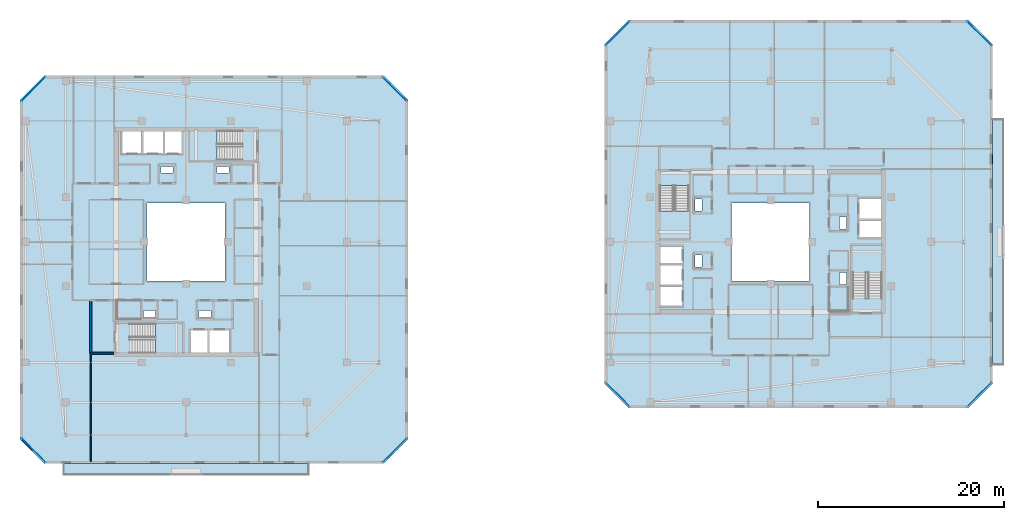
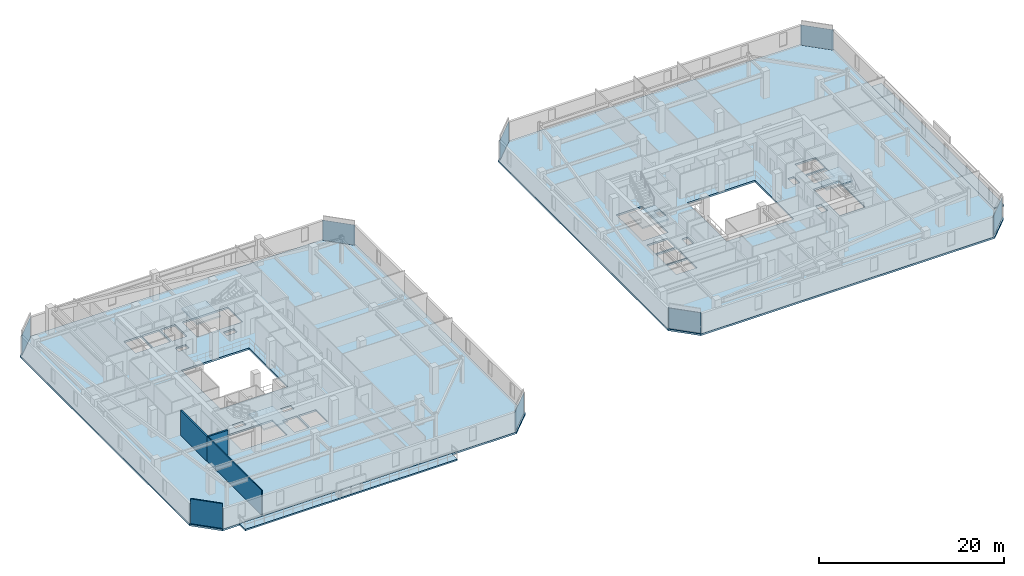
# One storey, part 20 of 35: 8 plates, 8 slabs, 4 walls, 12 elements without a shape of their own.
"""IFC4 building model written with IfcOpenShell, lengths in metres."""

from ifc_helpers import new_model, si_unit, direction, frame, frame_2d, origin, origin_2d, place, context, subcontext, project, spatial, polyline, rectangle, outline, extrude, material, layer, layer_set, type_object, element, aggregate, save


model = new_model("IFC4")

# Units and contexts
model_context = context("Model", 3, precision=1e-05, world=origin(), true_north=direction((0.0, 1.0)))
body_context = subcontext(model_context, "Body", "Model", "MODEL_VIEW")
ifc_project = project(units=[si_unit("LENGTHUNIT", "METRE"), si_unit("AREAUNIT", "SQUARE_METRE"), si_unit("VOLUMEUNIT", "CUBIC_METRE"), si_unit("PLANEANGLEUNIT", "RADIAN"), si_unit("MASSUNIT", "GRAM", prefix="KILO")], contexts=[model_context])

# Site, building, storey
site_placement = place(None, origin())
site = spatial("IfcSite", under=ifc_project, at=site_placement, CompositionType="ELEMENT")
building_placement = place(site_placement, origin())
building = spatial("IfcBuilding", under=site, at=building_placement, Name="Thornwick Lancets Civic Towers", CompositionType="ELEMENT")
storey_placement = place(building_placement, frame((0.0, 0.0, 276.300048828125)))
storey = spatial("IfcBuildingStorey", under=building, at=storey_placement, Name="L74", CompositionType="ELEMENT", Elevation=276.300048828125)

# Curtain wall, plate
ifc_material_1 = material(Name="High-zone chamfered-corner unitised glass curtain wall", Category="glass")
curtain_wall_type = type_object("IfcCurtainWallType", Name="CW_SYS_05", PredefinedType="NOTDEFINED", material=ifc_material_1)
curtain_wall_1_placement = place(storey_placement, origin())
curtain_wall_1 = element("IfcCurtainWall", 1, at=curtain_wall_1_placement, inside=storey, type_object=curtain_wall_type, Name="L74 Curtain Wall CW-L74-A-E1", PredefinedType="NOTDEFINED")
ifc_material_2 = material(Name="Low-e double glazing clear glass", Category="glass")
ifc_layer_1 = layer(ifc_material_2, 0.035888671875, Name="Low-e double glazing clear glass")
ifc_layer_set_1 = layer_set([ifc_layer_1], Name="Low-e double glazing clear glass")
plate_type = type_object("IfcPlateType", Name="CW_PNL_GLASS", PredefinedType="CURTAIN_PANEL", material=ifc_layer_set_1)
plate_1_placement = place(storey_placement, frame((47.972900390625, 4.527099609375, 0.0), z_axis=(0.0, 0.0, 1.0), x_axis=(0.707106781187, 0.707106781187, 0.0)))
plate_1 = element("IfcPlate", 2, at=plate_1_placement, type_object=plate_type, Name="CW-L74-A-E1 Panel 0", PredefinedType="CURTAIN_PANEL", context=body_context, shape_type="SweptSolid", body=[
    extrude(rectangle(XDim=3.649169921875, YDim=0.035888671875, at=origin_2d()), origin(), (0.0, 0.0, 1.0), 2.659912109375),
])
aggregate(curtain_wall_1, [plate_1])

curtain_wall_2_placement = place(storey_placement, origin())
curtain_wall_2 = element("IfcCurtainWall", 3, at=curtain_wall_2_placement, inside=storey, type_object=curtain_wall_type, Name="L74 Curtain Wall CW-L74-A-E3", PredefinedType="NOTDEFINED")
plate_2_placement = place(storey_placement, frame((47.972900390625, 43.472900390625, 0.0), z_axis=(0.0, 0.0, 1.0), x_axis=(-0.707106781187, 0.707106781187, 0.0)))
plate_2 = element("IfcPlate", 4, at=plate_2_placement, type_object=plate_type, Name="CW-L74-A-E3 Panel 0", PredefinedType="CURTAIN_PANEL", context=body_context, shape_type="SweptSolid", body=[
    extrude(rectangle(XDim=3.649169921875, YDim=0.035888671875, at=origin_2d()), origin(), (0.0, 0.0, 1.0), 2.659912109375),
])
aggregate(curtain_wall_2, [plate_2])

curtain_wall_3_placement = place(storey_placement, origin())
curtain_wall_3 = element("IfcCurtainWall", 5, at=curtain_wall_3_placement, inside=storey, type_object=curtain_wall_type, Name="L74 Curtain Wall CW-L74-A-E5", PredefinedType="NOTDEFINED")
plate_3_placement = place(storey_placement, frame((9.027099609375, 43.472900390625, 0.0), z_axis=(0.0, 0.0, 1.0), x_axis=(-0.707106781187, -0.707106781187, 0.0)))
plate_3 = element("IfcPlate", 6, at=plate_3_placement, type_object=plate_type, Name="CW-L74-A-E5 Panel 0", PredefinedType="CURTAIN_PANEL", context=body_context, shape_type="SweptSolid", body=[
    extrude(rectangle(XDim=3.649169921875, YDim=0.035888671875, at=origin_2d()), origin(), (0.0, 0.0, 1.0), 2.659912109375),
])
aggregate(curtain_wall_3, [plate_3])

curtain_wall_4_placement = place(storey_placement, origin())
curtain_wall_4 = element("IfcCurtainWall", 7, at=curtain_wall_4_placement, inside=storey, type_object=curtain_wall_type, Name="L74 Curtain Wall CW-L74-A-E7", PredefinedType="NOTDEFINED")
plate_4_placement = place(storey_placement, frame((9.027099609375, 4.527099609375, 0.0), z_axis=(0.0, 0.0, 1.0), x_axis=(0.707106781187, -0.707106781187, 0.0)))
plate_4 = element("IfcPlate", 8, at=plate_4_placement, type_object=plate_type, Name="CW-L74-A-E7 Panel 0", PredefinedType="CURTAIN_PANEL", context=body_context, shape_type="SweptSolid", body=[
    extrude(rectangle(XDim=3.649169921875, YDim=0.035888671875, at=origin_2d()), origin(), (0.0, 0.0, 1.0), 2.659912109375),
])
aggregate(curtain_wall_4, [plate_4])

curtain_wall_5_placement = place(storey_placement, origin())
curtain_wall_5 = element("IfcCurtainWall", 9, at=curtain_wall_5_placement, inside=storey, type_object=curtain_wall_type, Name="L74 Curtain Wall CW-L74-B-E1", PredefinedType="NOTDEFINED")
plate_5_placement = place(storey_placement, frame((110.972900390625, 10.527099609375, 0.0), z_axis=(0.0, 0.0, 1.0), x_axis=(0.707106781187, 0.707106781187, 0.0)))
plate_5 = element("IfcPlate", 10, at=plate_5_placement, type_object=plate_type, Name="CW-L74-B-E1 Panel 0", PredefinedType="CURTAIN_PANEL", context=body_context, shape_type="SweptSolid", body=[
    extrude(rectangle(XDim=3.649169921875, YDim=0.035888671875, at=origin_2d()), origin(), (0.0, 0.0, 1.0), 2.659912109375),
])
aggregate(curtain_wall_5, [plate_5])

curtain_wall_6_placement = place(storey_placement, origin())
curtain_wall_6 = element("IfcCurtainWall", 11, at=curtain_wall_6_placement, inside=storey, type_object=curtain_wall_type, Name="L74 Curtain Wall CW-L74-B-E3", PredefinedType="NOTDEFINED")
plate_6_placement = place(storey_placement, frame((110.972900390625, 49.472900390625, 0.0), z_axis=(0.0, 0.0, 1.0), x_axis=(-0.707106781187, 0.707106781187, 0.0)))
plate_6 = element("IfcPlate", 12, at=plate_6_placement, type_object=plate_type, Name="CW-L74-B-E3 Panel 0", PredefinedType="CURTAIN_PANEL", context=body_context, shape_type="SweptSolid", body=[
    extrude(rectangle(XDim=3.649169921875, YDim=0.035888671875, at=origin_2d()), origin(), (0.0, 0.0, 1.0), 2.659912109375),
])
aggregate(curtain_wall_6, [plate_6])

curtain_wall_7_placement = place(storey_placement, origin())
curtain_wall_7 = element("IfcCurtainWall", 13, at=curtain_wall_7_placement, inside=storey, type_object=curtain_wall_type, Name="L74 Curtain Wall CW-L74-B-E5", PredefinedType="NOTDEFINED")
plate_7_placement = place(storey_placement, frame((72.027099609375, 49.472900390625, 0.0), z_axis=(0.0, 0.0, 1.0), x_axis=(-0.707106781187, -0.707106781187, 0.0)))
plate_7 = element("IfcPlate", 14, at=plate_7_placement, type_object=plate_type, Name="CW-L74-B-E5 Panel 0", PredefinedType="CURTAIN_PANEL", context=body_context, shape_type="SweptSolid", body=[
    extrude(rectangle(XDim=3.649169921875, YDim=0.035888671875, at=origin_2d()), origin(), (0.0, 0.0, 1.0), 2.659912109375),
])
aggregate(curtain_wall_7, [plate_7])

curtain_wall_8_placement = place(storey_placement, origin())
curtain_wall_8 = element("IfcCurtainWall", 15, at=curtain_wall_8_placement, inside=storey, type_object=curtain_wall_type, Name="L74 Curtain Wall CW-L74-B-E7", PredefinedType="NOTDEFINED")
plate_8_placement = place(storey_placement, frame((72.027099609375, 10.527099609375, 0.0), z_axis=(0.0, 0.0, 1.0), x_axis=(0.707106781187, -0.707106781187, 0.0)))
plate_8 = element("IfcPlate", 16, at=plate_8_placement, type_object=plate_type, Name="CW-L74-B-E7 Panel 0", PredefinedType="CURTAIN_PANEL", context=body_context, shape_type="SweptSolid", body=[
    extrude(rectangle(XDim=3.649169921875, YDim=0.035888671875, at=origin_2d()), origin(), (0.0, 0.0, 1.0), 2.659912109375),
])
aggregate(curtain_wall_8, [plate_8])

# Slabs
ifc_material_3 = material(Name="Post-tensioned concrete C40/50", Category="concrete")
ifc_layer_2 = layer(ifc_material_3, 0.199951171875, Name="Post-tensioned concrete C40/50")
ifc_layer_set_2 = layer_set([ifc_layer_2], Name="Post-tensioned concrete C40/50")
slab_type_1 = type_object("IfcSlabType", Name="SLAB_BALCONY_200", PredefinedType="FLOOR", material=ifc_layer_set_2)
slab_1_placement = place(storey_placement, frame((0.0, 0.0, -0.199951171875)))
element("IfcSlab", 17, at=slab_1_placement, inside=storey, type_object=slab_type_1, Name="L74 Tower A Planted Balcony Slab S", PredefinedType="FLOOR", context=body_context, shape_type="SweptSolid", body=[
    extrude(outline(polyline([(12.300048828125, 1.85009765625), (38.699951171875, 1.85009765625), (38.699951171875, 3.10009765625), (12.300048828125, 3.10009765625), (12.300048828125, 1.85009765625)])), origin(), (0.0, 0.0, 1.0), 0.199951171875),
])
slab_2_placement = place(storey_placement, frame((0.0, 0.0, -0.199951171875)))
element("IfcSlab", 18, at=slab_2_placement, inside=storey, type_object=slab_type_1, Name="L74 Tower B Planted Balcony Slab E", PredefinedType="FLOOR", context=body_context, shape_type="SweptSolid", body=[
    extrude(outline(polyline([(112.39990234375, 13.800048828125), (113.64990234375, 13.800048828125), (113.64990234375, 40.199951171875), (112.39990234375, 40.199951171875), (112.39990234375, 13.800048828125)])), origin(), (0.0, 0.0, 1.0), 0.199951171875),
])

# Stair, slab
ifc_material_4 = material(Name="Concrete C40/50", Category="concrete")
stair_type = type_object("IfcStairType", Name="STAIR_DL_3600", PredefinedType="HALF_TURN_STAIR", material=ifc_material_4)
stair_1_placement = place(storey_placement, origin())
stair_1 = element("IfcStair", 19, at=stair_1_placement, inside=storey, type_object=stair_type, Name="L74 Tower A South Exit Stair ST-A1", PredefinedType="HALF_TURN_STAIR")
ifc_layer_3 = layer(ifc_material_4, 0.25, Name="Concrete C40/50")
ifc_layer_set_3 = layer_set([ifc_layer_3], Name="Concrete C40/50")
slab_type_2 = type_object("IfcSlabType", Name="SLAB_LANDING_200", PredefinedType="LANDING", material=ifc_layer_set_3)
slab_3_placement = place(storey_placement, frame((0.0, 0.0, 1.60302734375)))
slab_3 = element("IfcSlab", 20, at=slab_3_placement, type_object=slab_type_2, Name="ST-A1 landing 1", PredefinedType="LANDING", context=body_context, shape_type="SweptSolid", body=[
    extrude(outline(polyline([(22.169921875, 14.93994140625), (25.14990234375, 14.93994140625), (25.14990234375, 18.260009765625), (22.169921875, 18.260009765625), (22.169921875, 14.93994140625)])), origin(), (0.0, 0.0, 1.0), 0.199951171875),
])
aggregate(stair_1, [slab_3])

stair_2_placement = place(storey_placement, origin())
stair_2 = element("IfcStair", 21, at=stair_2_placement, inside=storey, type_object=stair_type, Name="L74 Tower A North Exit Stair ST-A2", PredefinedType="HALF_TURN_STAIR")
slab_4_placement = place(storey_placement, frame((0.0, 0.0, 1.60302734375)))
slab_4 = element("IfcSlab", 22, at=slab_4_placement, type_object=slab_type_2, Name="ST-A2 landing 1", PredefinedType="LANDING", context=body_context, shape_type="SweptSolid", body=[
    extrude(outline(polyline([(28.830078125, 39.06005859375), (25.85009765625, 39.06005859375), (25.85009765625, 35.739990234375), (28.830078125, 35.739990234375), (28.830078125, 39.06005859375)])), origin(), (0.0, 0.0, 1.0), 0.199951171875),
])
aggregate(stair_2, [slab_4])

stair_3_placement = place(storey_placement, origin())
stair_3 = element("IfcStair", 23, at=stair_3_placement, inside=storey, type_object=stair_type, Name="L74 Tower B East Exit Stair ST-B1", PredefinedType="HALF_TURN_STAIR")
slab_5_placement = place(storey_placement, frame((0.0, 0.0, 1.60302734375)))
slab_5 = element("IfcSlab", 24, at=slab_5_placement, type_object=slab_type_2, Name="ST-B1 landing 1", PredefinedType="LANDING", context=body_context, shape_type="SweptSolid", body=[
    extrude(outline(polyline([(100.56005859375, 23.669921875), (100.56005859375, 26.64990234375), (97.239990234375, 26.64990234375), (97.239990234375, 23.669921875), (100.56005859375, 23.669921875)])), origin(), (0.0, 0.0, 1.0), 0.199951171875),
])
aggregate(stair_3, [slab_5])

stair_4_placement = place(storey_placement, origin())
stair_4 = element("IfcStair", 25, at=stair_4_placement, inside=storey, type_object=stair_type, Name="L74 Tower B West Exit Stair ST-B2", PredefinedType="HALF_TURN_STAIR")
slab_6_placement = place(storey_placement, frame((0.0, 0.0, 1.60302734375)))
slab_6 = element("IfcSlab", 26, at=slab_6_placement, type_object=slab_type_2, Name="ST-B2 landing 1", PredefinedType="LANDING", context=body_context, shape_type="SweptSolid", body=[
    extrude(outline(polyline([(76.43994140625, 30.330078125), (76.43994140625, 27.35009765625), (79.760009765625, 27.35009765625), (79.760009765625, 30.330078125), (76.43994140625, 30.330078125)])), origin(), (0.0, 0.0, 1.0), 0.199951171875),
])
aggregate(stair_4, [slab_6])

# Slabs
ifc_layer_4 = layer(ifc_material_3, 0.239990234375, Name="Post-tensioned concrete C40/50")
ifc_layer_set_4 = layer_set([ifc_layer_4], Name="Post-tensioned concrete C40/50")
slab_type_3 = type_object("IfcSlabType", Name="SLAB_PT_240", PredefinedType="FLOOR", material=ifc_layer_set_4)
slab_7_placement = place(storey_placement, frame((0.0, 0.0, -0.239990234375)))
element("IfcSlab", 27, at=slab_7_placement, inside=storey, type_object=slab_type_3, Name="L74 Tower A Floor Slab", PredefinedType="FLOOR", context=body_context, shape_type="SweptSolid", body=[
    extrude(outline(polyline([(10.199951171875, 3.10009765625), (46.800048828125, 3.10009765625), (49.39990234375, 5.699951171875), (49.39990234375, 42.300048828125), (46.800048828125, 44.89990234375), (10.199951171875, 44.89990234375), (7.60009765625, 42.300048828125), (7.60009765625, 5.699951171875), (10.199951171875, 3.10009765625)]), holes=[polyline([(21.300048828125, 22.800048828125), (29.699951171875, 22.800048828125), (29.699951171875, 31.199951171875), (21.300048828125, 31.199951171875), (21.300048828125, 22.800048828125)]), polyline([(19.429931640625, 15.0), (25.10009765625, 15.0), (25.10009765625, 18.199951171875), (19.429931640625, 18.199951171875), (19.429931640625, 15.0)]), polyline([(31.570068359375, 39.0), (25.89990234375, 39.0), (25.89990234375, 35.800048828125), (31.570068359375, 35.800048828125), (31.570068359375, 39.0)]), polyline([(26.0, 15.0), (27.800048828125, 15.0), (27.800048828125, 17.550048828125), (26.0, 17.550048828125), (26.0, 15.0)]), polyline([(28.0, 15.0), (30.14990234375, 15.0), (30.14990234375, 17.550048828125), (28.0, 17.550048828125), (28.0, 15.0)]), polyline([(23.199951171875, 36.449951171875), (25.0, 36.449951171875), (25.0, 39.0), (23.199951171875, 39.0), (23.199951171875, 36.449951171875)]), polyline([(20.85009765625, 36.449951171875), (23.0, 36.449951171875), (23.0, 39.0), (20.85009765625, 39.0), (20.85009765625, 36.449951171875)]), polyline([(18.60009765625, 36.449951171875), (20.699951171875, 36.449951171875), (20.699951171875, 39.0), (18.60009765625, 39.0), (18.60009765625, 36.449951171875)]), polyline([(26.89990234375, 18.85009765625), (28.199951171875, 18.85009765625), (28.199951171875, 19.580078125), (26.89990234375, 19.580078125), (26.89990234375, 18.85009765625)]), polyline([(20.89990234375, 18.85009765625), (22.199951171875, 18.85009765625), (22.199951171875, 19.580078125), (20.89990234375, 19.580078125), (20.89990234375, 18.85009765625)]), polyline([(22.800048828125, 34.419921875), (24.10009765625, 34.419921875), (24.10009765625, 35.14990234375), (22.800048828125, 35.14990234375), (22.800048828125, 34.419921875)]), polyline([(28.800048828125, 34.419921875), (30.10009765625, 34.419921875), (30.10009765625, 35.14990234375), (28.800048828125, 35.14990234375), (28.800048828125, 34.419921875)])]), origin(), (0.0, 0.0, 1.0), 0.239990234375),
])
slab_8_placement = place(storey_placement, frame((0.0, 0.0, -0.239990234375)))
element("IfcSlab", 28, at=slab_8_placement, inside=storey, type_object=slab_type_3, Name="L74 Tower B Floor Slab", PredefinedType="FLOOR", context=body_context, shape_type="SweptSolid", body=[
    extrude(outline(polyline([(73.199951171875, 9.10009765625), (109.800048828125, 9.10009765625), (112.39990234375, 11.699951171875), (112.39990234375, 48.300048828125), (109.800048828125, 50.89990234375), (73.199951171875, 50.89990234375), (70.60009765625, 48.300048828125), (70.60009765625, 11.699951171875), (73.199951171875, 9.10009765625)]), holes=[polyline([(84.300048828125, 22.800048828125), (92.699951171875, 22.800048828125), (92.699951171875, 31.199951171875), (84.300048828125, 31.199951171875), (84.300048828125, 22.800048828125)]), polyline([(100.5, 20.929931640625), (100.5, 26.60009765625), (97.300048828125, 26.60009765625), (97.300048828125, 20.929931640625), (100.5, 20.929931640625)]), polyline([(76.5, 33.070068359375), (76.5, 27.39990234375), (79.699951171875, 27.39990234375), (79.699951171875, 33.070068359375), (76.5, 33.070068359375)]), polyline([(97.949951171875, 27.5), (100.5, 27.5), (100.5, 29.300048828125), (97.949951171875, 29.300048828125), (97.949951171875, 27.5)]), polyline([(97.949951171875, 29.5), (100.5, 29.5), (100.5, 31.64990234375), (97.949951171875, 31.64990234375), (97.949951171875, 29.5)]), polyline([(76.5, 24.699951171875), (79.050048828125, 24.699951171875), (79.050048828125, 26.5), (76.5, 26.5), (76.5, 24.699951171875)]), polyline([(76.5, 22.35009765625), (79.050048828125, 22.35009765625), (79.050048828125, 24.5), (76.5, 24.5), (76.5, 22.35009765625)]), polyline([(76.5, 20.10009765625), (79.050048828125, 20.10009765625), (79.050048828125, 22.199951171875), (76.5, 22.199951171875), (76.5, 20.10009765625)]), polyline([(95.919921875, 28.39990234375), (96.64990234375, 28.39990234375), (96.64990234375, 29.699951171875), (95.919921875, 29.699951171875), (95.919921875, 28.39990234375)]), polyline([(95.919921875, 22.39990234375), (96.64990234375, 22.39990234375), (96.64990234375, 23.699951171875), (95.919921875, 23.699951171875), (95.919921875, 22.39990234375)]), polyline([(80.35009765625, 24.300048828125), (81.080078125, 24.300048828125), (81.080078125, 25.60009765625), (80.35009765625, 25.60009765625), (80.35009765625, 24.300048828125)]), polyline([(80.35009765625, 30.300048828125), (81.080078125, 30.300048828125), (81.080078125, 31.60009765625), (80.35009765625, 31.60009765625), (80.35009765625, 30.300048828125)])]), origin(), (0.0, 0.0, 1.0), 0.239990234375),
])

# Walls
ifc_material_5 = material(Name="Concrete blockwork C40/50", Category="masonry")
ifc_layer_5 = layer(ifc_material_5, 0.199951171875, Name="Concrete blockwork C40/50")
ifc_layer_set_5 = layer_set([ifc_layer_5], Name="Concrete blockwork C40/50")
wall_type_1 = type_object("IfcWallType", Name="WALL_COMP_200", PredefinedType="STANDARD", material=ifc_layer_set_5)
wall_1_placement = place(storey_placement, frame((15.199951171875, 15.0, 0.0), z_axis=(0.0, 0.0, 1.0), x_axis=(1.0, 0.0, 0.0)))
element("IfcWall", 29, at=wall_1_placement, inside=storey, type_object=wall_type_1, Name="L74 Partition L74-A-FFLOB1 E1", PredefinedType="STANDARD", context=body_context, shape_type="SweptSolid", body=[
    extrude(rectangle(XDim=2.5, YDim=0.199951171875, at=frame_2d((1.25, 0.0))), origin(), (0.0, 0.0, 1.0), 3.260009765625),
])
wall_2_placement = place(storey_placement, frame((15.199951171875, 20.699951171875, 0.0), z_axis=(0.0, 0.0, 1.0), x_axis=(0.0, -1.0, 0.0)))
element("IfcWall", 30, at=wall_2_placement, inside=storey, type_object=wall_type_1, Name="L74 Partition L74-A-FFLOB1 E4", PredefinedType="STANDARD", context=body_context, shape_type="SweptSolid", body=[
    extrude(rectangle(XDim=5.699951171875, YDim=0.199951171875, at=frame_2d((2.85009765625, 0.0))), origin(), (0.0, 0.0, 1.0), 3.260009765625),
])
ifc_material_6 = material(Name="Acoustic gypsum board partition")
ifc_layer_6 = layer(ifc_material_6, 0.1201171875, Name="Acoustic gypsum board partition")
ifc_layer_set_6 = layer_set([ifc_layer_6], Name="Acoustic gypsum board partition")
wall_type_2 = type_object("IfcWallType", Name="WALL_PART_120", PredefinedType="PARTITIONING", material=ifc_layer_set_6)
wall_3_placement = place(storey_placement, frame((15.199951171875, 15.0, 0.0), z_axis=(0.0, 0.0, 1.0), x_axis=(0.0, -1.0, 0.0)))
element("IfcWall", 31, at=wall_3_placement, inside=storey, type_object=wall_type_2, Name="L74 Partition L74-A-W1 E5", PredefinedType="PARTITIONING", context=body_context, shape_type="SweptSolid", body=[
    extrude(rectangle(XDim=11.719970703125, YDim=0.1201171875, at=frame_2d((5.85986328125, 0.0))), origin(), (0.0, 0.0, 1.0), 3.260009765625),
])
wall_4_placement = place(storey_placement, frame((10.274658203125, 3.280029296875, 0.0), z_axis=(0.0, 0.0, 1.0), x_axis=(-0.707106781187, 0.707106781187, 0.0)))
element("IfcWall", 32, at=wall_4_placement, inside=storey, type_object=wall_type_2, Name="L74 Partition L74-A-W1 E7", PredefinedType="PARTITIONING", context=body_context, shape_type="SweptSolid", body=[
    extrude(rectangle(XDim=3.52783203125, YDim=0.1201171875, at=frame_2d((1.763916015625, 0.0))), origin(), (0.0, 0.0, 1.0), 3.260009765625),
])

save(model, "model.ifc")
